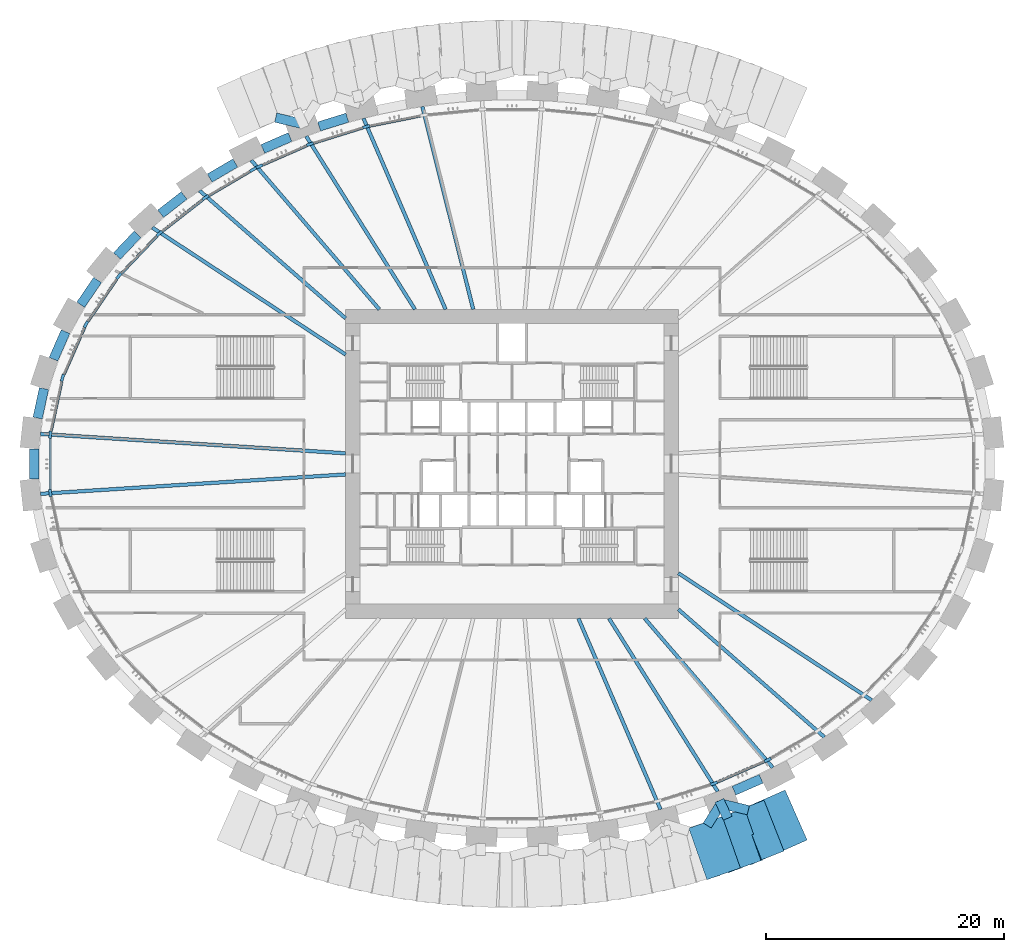
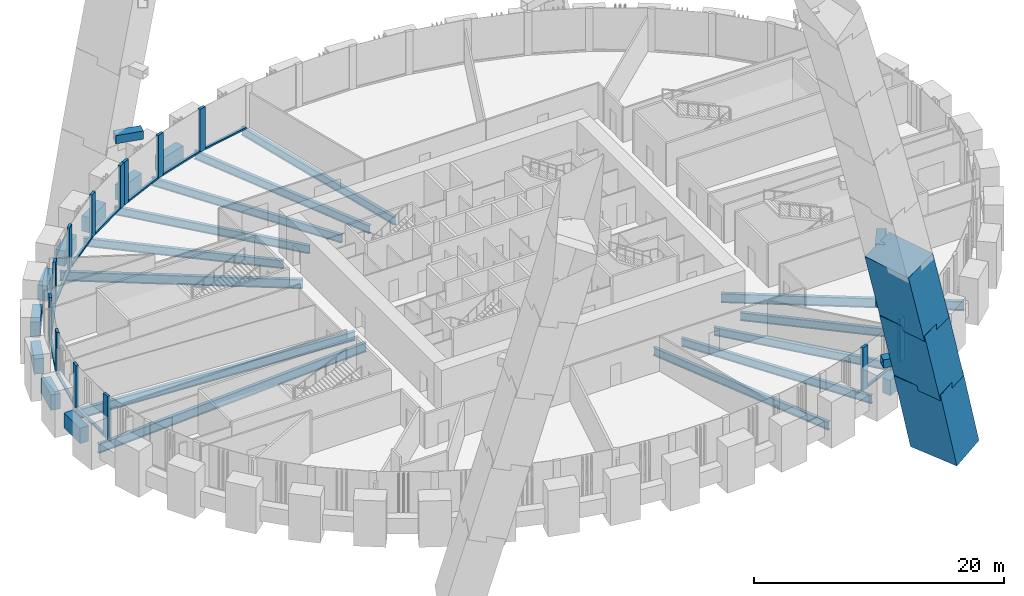
# One storey, part 3 of 23: 31 members, 23 beams, 3 elements without a shape of their own.
"""IFC4 building model written with IfcOpenShell, lengths in metres."""

import ifcopenshell
import ifcopenshell.guid

model = None  # the IFC model being written
_history = None  # IfcOwnerHistory: only IFC2X3 demands one
_inside = {}  # id of a spatial element -> (the spatial element, [elements in it])
_under = {}  # id of a project, library or spatial element -> (it, [spatial elements below it])
_declared = {}  # id of a project -> (the project, [libraries it declares])
_typed = {}  # id of a type object -> (the type object, [elements of that type])
_made_of = {}  # id of a material, layer set ... -> (it, [elements and type objects made of it])


def new_model(schema):
    """Start an empty IFC model of exactly this schema.

    Asked for "IFC4X3", IfcOpenShell would pick the latest addendum, in which some entities
    have other attributes; the version numbers below select the first issue.
    IFC2X3 requires an IfcOwnerHistory on every rooted entity: one is made here for all.
    """
    global model, _history
    if schema == "IFC4X3":
        model = ifcopenshell.file(schema_version=(4, 3, 0, 0))
    else:
        model = ifcopenshell.file(schema=schema)
    _inside.clear()
    _under.clear()
    _declared.clear()
    _typed.clear()
    _made_of.clear()
    _history = None
    if model.schema == "IFC2X3":
        org = make("IfcOrganization", Name="unknown")
        user = make(
            "IfcPersonAndOrganization",
            ThePerson=make("IfcPerson", FamilyName="unknown"),
            TheOrganization=org,
        )
        app = make(
            "IfcApplication",
            ApplicationDeveloper=org,
            Version="unknown",
            ApplicationFullName="unknown",
            ApplicationIdentifier="unknown",
        )
        _history = make(
            "IfcOwnerHistory",
            OwningUser=user,
            OwningApplication=app,
            ChangeAction="ADDED",
            CreationDate=0,
        )
    return model


def make(cls, **values):
    """One entity of the class cls with the attributes given. An attribute that is None is left unset."""
    return model.create_entity(
        cls, **{name: value for name, value in values.items() if value is not None}
    )


def rooted(cls, **values):
    """An entity with a GlobalId (a new one), such as an element, a storey or a relation."""
    return make(cls, GlobalId=ifcopenshell.guid.new(), OwnerHistory=_history, **values)


def si_unit(unit_type, name, prefix=None):
    """IfcSIUnit, for example si_unit("LENGTHUNIT", "METRE", prefix="MILLI")."""
    return make("IfcSIUnit", UnitType=unit_type, Prefix=prefix, Name=name)


def assignment(units):
    """IfcUnitAssignment: the units of a project."""
    return None if units is None else make("IfcUnitAssignment", Units=units)


def point(xyz):
    """IfcCartesianPoint."""
    return None if xyz is None else make("IfcCartesianPoint", Coordinates=xyz)


def direction(xyz):
    """IfcDirection."""
    return None if xyz is None else make("IfcDirection", DirectionRatios=xyz)


def frame(location, z_axis=None, x_axis=None):
    """IfcAxis2Placement3D, a coordinate frame: its origin and axes. An axis left out is left unset."""
    return make(
        "IfcAxis2Placement3D",
        Location=point(location),
        Axis=direction(z_axis),
        RefDirection=direction(x_axis),
    )


def frame_2d(location, x_axis=None):
    """IfcAxis2Placement2D, a coordinate frame in the plane: its origin and x axis."""
    return make(
        "IfcAxis2Placement2D", Location=point(location), RefDirection=direction(x_axis)
    )


def origin():
    """The frame at (0, 0, 0) with its axes left unset."""
    return frame((0.0, 0.0, 0.0))


def origin_2d():
    """The frame at (0, 0) in the plane with its x axis left unset."""
    return frame_2d((0.0, 0.0))


def place(relative_to, where):
    """IfcLocalPlacement: puts the frame where relative to a parent placement (None: the world)."""
    return make(
        "IfcLocalPlacement", PlacementRelTo=relative_to, RelativePlacement=where
    )


def context(
    kind, dimensions, precision=None, world=None, true_north=None, identifier=None
):
    """IfcGeometricRepresentationContext, for example the 3D "Model" context."""
    return make(
        "IfcGeometricRepresentationContext",
        ContextIdentifier=identifier,
        ContextType=kind,
        CoordinateSpaceDimension=dimensions,
        Precision=precision,
        WorldCoordinateSystem=world,
        TrueNorth=true_north,
    )


def subcontext(parent, identifier, kind, view, scale=None):
    """IfcGeometricRepresentationSubContext, for example "Body" below "Model"."""
    return make(
        "IfcGeometricRepresentationSubContext",
        ContextIdentifier=identifier,
        ContextType=kind,
        ParentContext=parent,
        TargetScale=scale,
        TargetView=view,
    )


def project(units=None, contexts=None):
    """IfcProject with its units and contexts."""
    return rooted(
        "IfcProject",
        Name="project",
        RepresentationContexts=contexts,
        UnitsInContext=assignment(units),
    )


def spatial(cls, under=None, at=None, **own):
    """A site, building, storey or space (cls), placed at a placement, below another one or the project."""
    s = rooted(cls, ObjectPlacement=at, **own)
    if under is not None:
        _under.setdefault(under.id(), (under, []))[1].append(s)
    return s


def profile(cls, at=None, kind="AREA", **sizes):
    """A parametric profile (cls). Its sizes go by their IFC names, for example OverallWidth=200.0."""
    return make(cls, ProfileType=kind, Position=at, **sizes)


def rectangle(**sizes):
    """IfcRectangleProfileDef."""
    return profile("IfcRectangleProfileDef", **sizes)


def hollow_rectangle(**sizes):
    """IfcRectangleHollowProfileDef."""
    return profile("IfcRectangleHollowProfileDef", **sizes)


def i_section(**sizes):
    """IfcIShapeProfileDef."""
    return profile("IfcIShapeProfileDef", **sizes)


def extrude(swept, where, along, depth):
    """IfcExtrudedAreaSolid: the profile swept, set in the frame where, extruded along a direction by depth."""
    return make(
        "IfcExtrudedAreaSolid",
        SweptArea=swept,
        Position=where,
        ExtrudedDirection=direction(along),
        Depth=depth,
    )


def shape(context_of_items, identifier, shape_type, items):
    """IfcShapeRepresentation: the items that make up one representation, for example the "Body"."""
    return make(
        "IfcShapeRepresentation",
        ContextOfItems=context_of_items,
        RepresentationIdentifier=identifier,
        RepresentationType=shape_type,
        Items=items,
    )


def source(mapping_origin, context_of_items, identifier, shape_type, items):
    """IfcRepresentationMap: a shape defined once, which mapped items show again and again."""
    return make(
        "IfcRepresentationMap",
        MappingOrigin=mapping_origin,
        MappedRepresentation=shape(context_of_items, identifier, shape_type, items),
    )


def transform(
    local_origin,
    x_axis=None,
    y_axis=None,
    z_axis=None,
    scale=None,
    scale2=None,
    scale3=None,
    uniform=True,
):
    """IfcCartesianTransformationOperator3D, or its non-uniform kind. x_axis, y_axis, z_axis: its Axis1, 2, 3."""
    if uniform:
        return make(
            "IfcCartesianTransformationOperator3D",
            Axis1=direction(x_axis),
            Axis2=direction(y_axis),
            LocalOrigin=point(local_origin),
            Scale=scale,
            Axis3=direction(z_axis),
        )
    return make(
        "IfcCartesianTransformationOperator3DnonUniform",
        Axis1=direction(x_axis),
        Axis2=direction(y_axis),
        LocalOrigin=point(local_origin),
        Scale=scale,
        Axis3=direction(z_axis),
        Scale2=scale2,
        Scale3=scale3,
    )


def mapped(mapping_source, mapping_target):
    """IfcMappedItem: shows the shape of a source again, moved by a transform."""
    return make(
        "IfcMappedItem", MappingSource=mapping_source, MappingTarget=mapping_target
    )


def material(Name=None, Category=None):
    """IfcMaterial."""
    return make("IfcMaterial", Name=Name, Category=Category)


def material_profile(
    of_material, cross_section, Name=None, Category=None, Priority=None
):
    """IfcMaterialProfile: a cross section and its material."""
    return make(
        "IfcMaterialProfile",
        Name=Name,
        Material=of_material,
        Profile=cross_section,
        Priority=Priority,
        Category=Category,
    )


def profile_set(profiles, Name=None, composite=None):
    """IfcMaterialProfileSet."""
    return make(
        "IfcMaterialProfileSet",
        Name=Name,
        MaterialProfiles=profiles,
        CompositeProfile=composite,
    )


def made_of(thing, what):
    """Note that an element or type object is made of a material, layer set ...; save() writes the relation."""
    if what is not None:
        _made_of.setdefault(what.id(), (what, []))[1].append(thing)
    return thing


def type_object(cls, material=None, **own):
    """A type object (cls), such as IfcWallType, which elements share."""
    return made_of(rooted(cls, **own), material)


def element(
    cls,
    number,
    at=None,
    inside=None,
    cuts=None,
    type_object=None,
    material=None,
    context=None,
    identifier="Body",
    shape_type=None,
    held_by="IfcProductDefinitionShape",
    body=None,
    shapes=None,
    **own,
):
    """One element of the class cls, such as IfcWall. Its Tag is "e" and its number.

    at: its placement. inside: the storey or other place that contains it. cuts: it is an
    opening in that element (IfcRelVoidsElement). A single representation is given by context,
    identifier, shape_type and body (its items); several are given by shapes. held_by: the class
    of the entity that holds the representations. save() writes the other relations.
    """
    e = rooted(cls, Tag="e%d" % number, ObjectPlacement=at, **own)
    if body is not None:
        shapes = [shape(context, identifier, shape_type, body)]
    if shapes is not None:
        e.Representation = make(held_by, Representations=shapes)
    if inside is not None:
        _inside.setdefault(inside.id(), (inside, []))[1].append(e)
    if cuts is not None:
        rooted(
            "IfcRelVoidsElement", RelatingBuildingElement=cuts, RelatedOpeningElement=e
        )
    if type_object is not None:
        _typed.setdefault(type_object.id(), (type_object, []))[1].append(e)
    return made_of(e, material)


def aggregate(whole, parts):
    """IfcRelAggregates: a whole, such as a stair, and the parts it consists of."""
    return rooted("IfcRelAggregates", RelatingObject=whole, RelatedObjects=parts)


def save(model, path):
    """Write the relations noted so far, then the file.

    IfcRelAggregates (storeys below a building ...), IfcRelContainedInSpatialStructure (elements
    in a storey), IfcRelDefinesByType, IfcRelAssociatesMaterial and IfcRelDeclares: one each for
    every whole, place, type object, material and project.
    """
    for whole, parts in _under.values():
        aggregate(whole, parts)
    for where, things in _inside.values():
        rooted(
            "IfcRelContainedInSpatialStructure",
            RelatedElements=things,
            RelatingStructure=where,
        )
    for kind, things in _typed.values():
        rooted("IfcRelDefinesByType", RelatedObjects=things, RelatingType=kind)
    for what, things in _made_of.values():
        rooted("IfcRelAssociatesMaterial", RelatedObjects=things, RelatingMaterial=what)
    for by, libraries in _declared.values():
        rooted("IfcRelDeclares", RelatingContext=by, RelatedDefinitions=libraries)
    model.write(path)


model = new_model("IFC4")

# Units and contexts
model_context = context("Model", 3, precision=1e-05, world=origin(), true_north=direction((0.0, 1.0)))
body_context = subcontext(model_context, "Body", "Model", "MODEL_VIEW")
ifc_project = project(units=[si_unit("LENGTHUNIT", "METRE"), si_unit("AREAUNIT", "SQUARE_METRE"), si_unit("VOLUMEUNIT", "CUBIC_METRE"), si_unit("PLANEANGLEUNIT", "RADIAN"), si_unit("MASSUNIT", "GRAM", prefix="KILO")], contexts=[model_context])

# Site, building, storey
site_placement = place(None, origin())
site = spatial("IfcSite", under=ifc_project, at=site_placement, CompositionType="ELEMENT")
building_placement = place(site_placement, origin())
building = spatial("IfcBuilding", under=site, at=building_placement, Name="Embergate Tower", CompositionType="ELEMENT")
storey_placement = place(building_placement, frame((0.0, 0.0, 29.0)))
storey = spatial("IfcBuildingStorey", under=building, at=storey_placement, Name="L03", CompositionType="ELEMENT", Elevation=29.0)

# Beams
ifc_material_1 = material(Name="Concrete C70", Category="concrete")
ifc_material_profile_1 = material_profile(ifc_material_1, rectangle(XDim=0.800048828125, YDim=1.5, at=origin_2d()), Name="RC 800x1500")
ifc_profile_set_1 = profile_set([ifc_material_profile_1], Name="Concrete C70")
beam_type_1 = type_object("IfcBeamType", Name="Spandrel beam RC 800x1500 C70", PredefinedType="BEAM", material=ifc_profile_set_1)
shared_shape_1 = source(origin(), body_context, "Body", "SweptSolid", [
    extrude(rectangle(XDim=0.800048828125, YDim=1.5, at=origin_2d()), origin(), (0.0, 0.0, 1.0), 2.53369140625),
])
beam_1_placement = place(storey_placement, frame((-39.3720703125, 6.330078125, 0.0), z_axis=(-0.210344985956, -0.977627222863, 0.0), x_axis=(0.977627222863, -0.210344985956, 0.0)))
element("IfcBeam", 1, at=beam_1_placement, inside=storey, type_object=beam_type_1, Name="SPN-L03-20", PredefinedType="BEAM", context=body_context, shape_type="MappedRepresentation", body=[
    mapped(shared_shape_1, transform((0.0, 0.0, 0.0))),
])
shared_shape_2 = source(origin(), body_context, "Body", "SweptSolid", [
    extrude(rectangle(XDim=0.800048828125, YDim=1.5, at=origin_2d()), origin(), (0.0, 0.0, 1.0), 2.530029296875),
])
beam_2_placement = place(storey_placement, frame((-37.556884765625, 11.12109375, 0.0), z_axis=(-0.401603284719, -0.91581373745, 0.0), x_axis=(0.91581373745, -0.401603284719, 0.0)))
element("IfcBeam", 2, at=beam_2_placement, inside=storey, type_object=beam_type_1, Name="SPN-L03-19", PredefinedType="BEAM", context=body_context, shape_type="MappedRepresentation", body=[
    mapped(shared_shape_2, transform((0.0, 0.0, 0.0))),
])
shared_shape_3 = source(origin(), body_context, "Body", "SweptSolid", [
    extrude(rectangle(XDim=0.800048828125, YDim=1.5, at=origin_2d()), origin(), (0.0, 0.0, 1.0), 2.52001953125),
])
beam_3_placement = place(storey_placement, frame((-34.864013671875, 15.469970703125, 0.0), z_axis=(-0.562278223056, -0.826948124054, 0.0), x_axis=(0.826948124054, -0.562278223056, 0.0)))
element("IfcBeam", 3, at=beam_3_placement, inside=storey, type_object=beam_type_1, Name="SPN-L03-18", PredefinedType="BEAM", context=body_context, shape_type="MappedRepresentation", body=[
    mapped(shared_shape_3, transform((0.0, 0.0, 0.0))),
])
shared_shape_4 = source(origin(), body_context, "Body", "SweptSolid", [
    extrude(rectangle(XDim=0.800048828125, YDim=1.5, at=origin_2d()), origin(), (0.0, 0.0, 1.0), 2.513671875),
])
beam_4_placement = place(storey_placement, frame((-31.49609375, 19.31201171875, 0.0), z_axis=(-0.690154595943, -0.723661960931, 0.0), x_axis=(0.723661960931, -0.690154595943, 0.0)))
element("IfcBeam", 4, at=beam_4_placement, inside=storey, type_object=beam_type_1, Name="SPN-L03-17", PredefinedType="BEAM", context=body_context, shape_type="MappedRepresentation", body=[
    mapped(shared_shape_4, transform((0.0, 0.0, 0.0))),
])
shared_shape_5 = source(origin(), body_context, "Body", "SweptSolid", [
    extrude(rectangle(XDim=0.800048828125, YDim=1.5, at=origin_2d()), origin(), (0.0, 0.0, 1.0), 2.5048828125),
])
beam_5_placement = place(storey_placement, frame((-27.580078125, 22.5830078125, 0.0), z_axis=(-0.788380346305, -0.61518812534, 0.0), x_axis=(0.61518812534, -0.788380346305, 0.0)))
element("IfcBeam", 5, at=beam_5_placement, inside=storey, type_object=beam_type_1, Name="SPN-L03-16", PredefinedType="BEAM", context=body_context, shape_type="MappedRepresentation", body=[
    mapped(shared_shape_5, transform((0.0, 0.0, 0.0))),
])
shared_shape_6 = source(origin(), body_context, "Body", "SweptSolid", [
    extrude(rectangle(XDim=0.800048828125, YDim=1.5, at=origin_2d()), origin(), (0.0, 0.0, 1.0), 2.5),
])
beam_6_placement = place(storey_placement, frame((-23.27490234375, 25.31201171875, 0.0), z_axis=(-0.862034618657, -0.506849401929, 0.0), x_axis=(0.506849401929, -0.862034618657, 0.0)))
element("IfcBeam", 6, at=beam_6_placement, inside=storey, type_object=beam_type_1, Name="SPN-L03-15", PredefinedType="BEAM", context=body_context, shape_type="MappedRepresentation", body=[
    mapped(shared_shape_6, transform((0.0, 0.0, 0.0))),
])
shared_shape_7 = source(origin(), body_context, "Body", "SweptSolid", [
    extrude(rectangle(XDim=0.800048828125, YDim=1.5, at=origin_2d()), origin(), (0.0, 0.0, 1.0), 2.496337890625),
])
for number, where, z_axis, x_axis, name in (
    (7, (-18.672119140625, 27.493896484375, 0.0), (-0.916087739171, -0.400977872382, 0.0), (0.400977872382, -0.916087739171, 0.0), "SPN-L03-14"),
    (8, (18.672119140625, -27.493896484375, 0.0), (0.916087739171, 0.400977872382, 0.0), (-0.400977872382, 0.916087739171, 0.0), "SPN-L03-36"),
):
    element("IfcBeam", number, at=place(storey_placement, frame(where, z_axis=z_axis, x_axis=x_axis)), inside=storey, type_object=beam_type_1, Name=name, PredefinedType="BEAM", context=body_context, shape_type="MappedRepresentation", body=[
        mapped(shared_shape_7, transform((0.0, 0.0, 0.0))),
    ])
shared_shape_8 = source(origin(), body_context, "Body", "SweptSolid", [
    extrude(rectangle(XDim=0.800048828125, YDim=1.5, at=origin_2d()), origin(), (0.0, 0.0, 1.0), 2.49169921875),
])
beam_7_placement = place(storey_placement, frame((-13.85009765625, 29.125, 0.0), z_axis=(-0.954758519321, -0.297382194801, 0.0), x_axis=(0.297382194801, -0.954758519321, 0.0)))
element("IfcBeam", 9, at=beam_7_placement, inside=storey, type_object=beam_type_1, Name="SPN-L03-13", PredefinedType="BEAM", context=body_context, shape_type="MappedRepresentation", body=[
    mapped(shared_shape_8, transform((0.0, 0.0, 0.0))),
])
shared_shape_9 = source(origin(), body_context, "Body", "SweptSolid", [
    extrude(rectangle(XDim=0.800048828125, YDim=1.5, at=origin_2d()), origin(), (0.0, 0.0, 1.0), 2.5400390625),
])
beam_8_placement = place(storey_placement, frame((-40.200927734375, 1.27001953125, 0.0), z_axis=(0.0, -1.0, 0.0), x_axis=(1.0, 0.0, 0.0)))
element("IfcBeam", 10, at=beam_8_placement, inside=storey, type_object=beam_type_1, Name="SPN-L03-21", PredefinedType="BEAM", context=body_context, shape_type="MappedRepresentation", body=[
    mapped(shared_shape_9, transform((0.0, 0.0, 0.0))),
])
ifc_material_2 = material(Name="Steel Q355B", Category="steel")
ifc_material_profile_2 = material_profile(ifc_material_2, i_section(OverallWidth=0.300048828125, OverallDepth=0.89990234375, WebThickness=0.01611328125, FlangeThickness=0.028076171875, FilletRadius=0.028076171875, at=origin_2d()), Name="HN 900x300x16x28")
ifc_profile_set_2 = profile_set([ifc_material_profile_2], Name="Steel Q355 grade B")
beam_type_2 = type_object("IfcBeamType", Name="Radial girder HN 900x300x16x28", PredefinedType="BEAM", material=ifc_profile_set_2)
shared_shape_10 = source(origin(), body_context, "Body", "SweptSolid", [
    extrude(i_section(OverallWidth=0.300048828125, OverallDepth=0.89990234375, WebThickness=0.01611328125, FlangeThickness=0.028076171875, FilletRadius=0.028076171875, at=origin_2d()), origin(), (0.0, 0.0, 1.0), 25.712646484375),
])
for number, where, z_axis, x_axis, name in (
    (11, (-39.660888671875, 2.52001953125, -0.75), (0.997985923003, -0.063435774512, 0.0), (0.063435774512, 0.997985923003, 0.0), "GIR-L03-21"),
    (12, (-39.660888671875, -2.52001953125, -0.75), (0.997985923003, 0.063435774512, 0.0), (-0.063435774512, 0.997985923003, 0.0), "GIR-L03-22"),
):
    element("IfcBeam", number, at=place(storey_placement, frame(where, z_axis=z_axis, x_axis=x_axis)), inside=storey, type_object=beam_type_2, Name=name, PredefinedType="BEAM", context=body_context, shape_type="MappedRepresentation", body=[
        mapped(shared_shape_10, transform((0.0, 0.0, 0.0))),
    ])
shared_shape_11 = source(origin(), body_context, "Body", "SweptSolid", [
    extrude(i_section(OverallWidth=0.300048828125, OverallDepth=0.89990234375, WebThickness=0.01611328125, FlangeThickness=0.028076171875, FilletRadius=0.028076171875, at=origin_2d()), origin(), (0.0, 0.0, 1.0), 19.456787109375),
])
for number, where, z_axis, x_axis, name in (
    (13, (-30.260986328125, 19.883056640625, -0.75), (0.835745789204, -0.549116541208, 0.0), (0.549116541208, 0.835745789204, 0.0), "GIR-L03-17"),
    (14, (30.260986328125, -19.883056640625, -0.75), (-0.835745789204, 0.549116541208, 0.0), (-0.549116541208, -0.835745789204, 0.0), "GIR-L03-39"),
):
    element("IfcBeam", number, at=place(storey_placement, frame(where, z_axis=z_axis, x_axis=x_axis)), inside=storey, type_object=beam_type_2, Name=name, PredefinedType="BEAM", context=body_context, shape_type="MappedRepresentation", body=[
        mapped(shared_shape_11, transform((0.0, 0.0, 0.0))),
    ])
ifc_material_profile_3 = material_profile(ifc_material_2, i_section(OverallWidth=0.300048828125, OverallDepth=0.800048828125, WebThickness=0.013916015625, FlangeThickness=0.02587890625, FilletRadius=0.028076171875, at=origin_2d()), Name="HN 800x300x14x26")
ifc_profile_set_3 = profile_set([ifc_material_profile_3], Name="Steel Q355 grade B")
beam_type_3 = type_object("IfcBeamType", Name="Radial girder HN 800x300x14x26", PredefinedType="BEAM", material=ifc_profile_set_3)
shared_shape_12 = source(origin(), body_context, "Body", "SweptSolid", [
    extrude(i_section(OverallWidth=0.300048828125, OverallDepth=0.800048828125, WebThickness=0.013916015625, FlangeThickness=0.02587890625, FilletRadius=0.028076171875, at=origin_2d()), origin(), (0.0, 0.0, 1.0), 16.318359375),
])
for number, where, z_axis, x_axis, name in (
    (15, (-26.283935546875, 22.986083984375, -0.699951171875), (0.752766655838, -0.658287446226, 0.0), (0.658287446226, 0.752766655838, 0.0), "GIR-L03-16"),
    (16, (26.283935546875, -22.986083984375, -0.699951171875), (-0.752766655838, 0.658287446226, 0.0), (-0.658287446226, -0.752766655838, 0.0), "GIR-L03-38"),
):
    element("IfcBeam", number, at=place(storey_placement, frame(where, z_axis=z_axis, x_axis=x_axis)), inside=storey, type_object=beam_type_3, Name=name, PredefinedType="BEAM", context=body_context, shape_type="MappedRepresentation", body=[
        mapped(shared_shape_12, transform((0.0, 0.0, 0.0))),
    ])
shared_shape_13 = source(origin(), body_context, "Body", "SweptSolid", [
    extrude(i_section(OverallWidth=0.300048828125, OverallDepth=0.800048828125, WebThickness=0.013916015625, FlangeThickness=0.02587890625, FilletRadius=0.028076171875, at=origin_2d()), origin(), (0.0, 0.0, 1.0), 16.532958984375),
])
for number, where, z_axis, x_axis, name in (
    (17, (-21.93505859375, 25.54296875, -0.699951171875), (0.651484275962, -0.758662137038, 0.0), (0.758662137038, 0.651484275962, 0.0), "GIR-L03-15"),
    (18, (21.93505859375, -25.54296875, -0.699951171875), (-0.651484275962, 0.758662137038, 0.0), (-0.758662137038, -0.651484275962, 0.0), "GIR-L03-37"),
):
    element("IfcBeam", number, at=place(storey_placement, frame(where, z_axis=z_axis, x_axis=x_axis)), inside=storey, type_object=beam_type_3, Name=name, PredefinedType="BEAM", context=body_context, shape_type="MappedRepresentation", body=[
        mapped(shared_shape_13, transform((0.0, 0.0, 0.0))),
    ])
shared_shape_14 = source(origin(), body_context, "Body", "SweptSolid", [
    extrude(i_section(OverallWidth=0.300048828125, OverallDepth=0.800048828125, WebThickness=0.013916015625, FlangeThickness=0.02587890625, FilletRadius=0.028076171875, at=origin_2d()), origin(), (0.0, 0.0, 1.0), 17.198974609375),
])
for number, where, z_axis, x_axis, name in (
    (19, (-17.31103515625, 27.56494140625, -0.699951171875), (0.53183253191, -0.846849548622, 0.0), (0.846849548622, 0.53183253191, 0.0), "GIR-L03-14"),
    (20, (17.31103515625, -27.56494140625, -0.699951171875), (-0.53183253191, 0.846849548622, 0.0), (-0.846849548622, -0.53183253191, 0.0), "GIR-L03-36"),
):
    element("IfcBeam", number, at=place(storey_placement, frame(where, z_axis=z_axis, x_axis=x_axis)), inside=storey, type_object=beam_type_3, Name=name, PredefinedType="BEAM", context=body_context, shape_type="MappedRepresentation", body=[
        mapped(shared_shape_14, transform((0.0, 0.0, 0.0))),
    ])
shared_shape_15 = source(origin(), body_context, "Body", "SweptSolid", [
    extrude(i_section(OverallWidth=0.300048828125, OverallDepth=0.800048828125, WebThickness=0.013916015625, FlangeThickness=0.02587890625, FilletRadius=0.028076171875, at=origin_2d()), origin(), (0.0, 0.0, 1.0), 17.4873046875),
])
for number, where, z_axis, x_axis, name in (
    (21, (-12.493896484375, 29.06591796875, -0.699951171875), (0.39491487199, -0.918717717191, 0.0), (0.918717717191, 0.39491487199, 0.0), "GIR-L03-13"),
    (22, (12.493896484375, -29.06591796875, -0.699951171875), (-0.39491487199, 0.918717717191, 0.0), (-0.918717717191, -0.39491487199, 0.0), "GIR-L03-35"),
):
    element("IfcBeam", number, at=place(storey_placement, frame(where, z_axis=z_axis, x_axis=x_axis)), inside=storey, type_object=beam_type_3, Name=name, PredefinedType="BEAM", context=body_context, shape_type="MappedRepresentation", body=[
        mapped(shared_shape_15, transform((0.0, 0.0, 0.0))),
    ])
shared_shape_16 = source(origin(), body_context, "Body", "SweptSolid", [
    extrude(i_section(OverallWidth=0.300048828125, OverallDepth=0.800048828125, WebThickness=0.013916015625, FlangeThickness=0.02587890625, FilletRadius=0.028076171875, at=origin_2d()), origin(), (0.0, 0.0, 1.0), 17.58740234375),
])
beam_9_placement = place(storey_placement, frame((-7.544921875, 30.05810546875, -0.699951171875), z_axis=(0.243469663702, -0.969908512622, 0.0), x_axis=(0.969908512622, 0.243469663702, 0.0)))
element("IfcBeam", 23, at=beam_9_placement, inside=storey, type_object=beam_type_3, Name="GIR-L03-12", PredefinedType="BEAM", context=body_context, shape_type="MappedRepresentation", body=[
    mapped(shared_shape_16, transform((0.0, 0.0, 0.0))),
])

# Members
ifc_material_profile_4 = material_profile(ifc_material_1, rectangle(XDim=4.60009765625, YDim=3.10009765625, at=origin_2d()), Name="RC 4600x3100")
ifc_profile_set_4 = profile_set([ifc_material_profile_4], Name="Concrete C70")
member_type_1 = type_object("IfcMemberType", Name="Arch ring masonry RC 4600x3100", PredefinedType="MEMBER", material=ifc_profile_set_4)
shared_shape_17 = source(origin(), body_context, "Body", "SweptSolid", [
    extrude(rectangle(XDim=4.60009765625, YDim=3.10009765625, at=origin_2d()), origin(), (0.0, 0.0, 1.0), 8.43896484375),
])
member_1_placement = place(storey_placement, frame((20.5048828125, -31.0400390625, 2.842041015625), z_axis=(0.240555014134, 0.106058290056, -0.964823778877), x_axis=(-0.403420744744, 0.915014591529, 0.0)))
element("IfcMember", 24, at=member_1_placement, inside=storey, type_object=member_type_1, Name="ARC-S-RG23", PredefinedType="MEMBER", context=body_context, shape_type="MappedRepresentation", body=[
    mapped(shared_shape_17, transform((0.0, 0.0, 0.0))),
])
shared_shape_18 = source(origin(), body_context, "Body", "SweptSolid", [
    extrude(rectangle(XDim=4.60009765625, YDim=3.10009765625, at=origin_2d()), origin(), (0.0, 0.0, 1.0), 7.664306640625),
])
member_2_placement = place(storey_placement, frame((18.77001953125, -31.718017578125, 9.656982421875), z_axis=(0.245405845847, 0.096423091301, -0.964613165102), x_axis=(-0.365697225871, 0.930733871195, 0.0)))
element("IfcMember", 25, at=member_2_placement, inside=storey, type_object=member_type_1, Name="ARC-S-RG22", PredefinedType="MEMBER", context=body_context, shape_type="MappedRepresentation", body=[
    mapped(shared_shape_18, transform((0.0, 0.0, 0.0))),
])
shared_shape_19 = source(origin(), body_context, "Body", "SweptSolid", [
    extrude(rectangle(XDim=4.60009765625, YDim=3.10009765625, at=origin_2d()), origin(), (0.0, 0.0, 1.0), 7.525390625),
])
member_3_placement = place(storey_placement, frame((17.0419921875, -32.322021484375, 16.3369140625), z_axis=(0.249412764304, 0.087560490486, -0.964430626592), x_axis=(-0.331246829479, 0.943544136731, 0.0)))
element("IfcMember", 26, at=member_3_placement, inside=storey, type_object=member_type_1, Name="ARC-S-RG21", PredefinedType="MEMBER", context=body_context, shape_type="MappedRepresentation", body=[
    mapped(shared_shape_19, transform((0.0, 0.0, 0.0))),
])
ifc_material_3 = material(Name="Steel Q355D", Category="steel")
ifc_material_profile_5 = material_profile(ifc_material_3, hollow_rectangle(XDim=0.800048828125, YDim=0.800048828125, WallThickness=0.0400390625, at=origin_2d()), Name="BOX 800x800x40")
ifc_profile_set_5 = profile_set([ifc_material_profile_5], Name="Steel Q355 grade D")
member_type_2 = type_object("IfcMemberType", Name="Arch ring tie BOX 800x800x40", PredefinedType="STRUT", material=ifc_profile_set_5)
shared_shape_20 = source(origin(), body_context, "Body", "SweptSolid", [
    extrude(hollow_rectangle(XDim=0.800048828125, YDim=0.800048828125, WallThickness=0.0400390625, at=origin_2d()), origin(), (0.0, 0.0, 1.0), 2.318359375),
])
for number, where, z_axis, x_axis, name in (
    (27, (-17.6240234375, 28.597900390625, 3.5), (-0.9729957038, 0.230823223239, 0.0), (-0.230823223239, -0.9729957038, 0.0), "ARC-N-AT23"),
    (28, (17.6240234375, -28.597900390625, 3.5), (0.9729957038, -0.230823223239, 0.0), (0.230823223239, 0.9729957038, 0.0), "ARC-S-AT23"),
):
    element("IfcMember", number, at=place(storey_placement, frame(where, z_axis=z_axis, x_axis=x_axis)), inside=storey, type_object=member_type_2, Name=name, PredefinedType="STRUT", context=body_context, shape_type="MappedRepresentation", body=[
        mapped(shared_shape_20, transform((0.0, 0.0, 0.0))),
    ])
shared_shape_21 = source(origin(), body_context, "Body", "SweptSolid", [
    extrude(hollow_rectangle(XDim=0.800048828125, YDim=0.800048828125, WallThickness=0.0400390625, at=origin_2d()), origin(), (0.0, 0.0, 1.0), 1.651123046875),
])
member_4_placement = place(storey_placement, frame((17.447998046875, -28.318115234375, 9.367919921875), z_axis=(0.423338722493, -0.905971481912, 0.0), x_axis=(0.905971481912, 0.423338722493, 0.0)))
element("IfcMember", 29, at=member_4_placement, inside=storey, type_object=member_type_2, Name="ARC-S-AT22", PredefinedType="STRUT", context=body_context, shape_type="MappedRepresentation", body=[
    mapped(shared_shape_21, transform((0.0, 0.0, 0.0))),
])
shared_shape_22 = source(origin(), body_context, "Body", "SweptSolid", [
    extrude(hollow_rectangle(XDim=0.800048828125, YDim=0.800048828125, WallThickness=0.0400390625, at=origin_2d()), origin(), (0.0, 0.0, 1.0), 2.205810546875),
])
member_5_placement = place(storey_placement, frame((17.597900390625, -28.555908203125, 16.048095703125), z_axis=(-0.534022139973, -0.845470492695, 0.0), x_axis=(0.845470492695, -0.534022139973, 0.0)))
element("IfcMember", 30, at=member_5_placement, inside=storey, type_object=member_type_2, Name="ARC-S-AT21", PredefinedType="STRUT", context=body_context, shape_type="MappedRepresentation", body=[
    mapped(shared_shape_22, transform((0.0, 0.0, 0.0))),
])

# Curtain wall, members
ifc_material_4 = material(Name="Aluminium and glass", Category="aluminium")
curtain_wall_type = type_object("IfcCurtainWallType", Name="Podium base glazing", PredefinedType="NOTDEFINED", material=ifc_material_4)
curtain_wall_1_placement = place(storey_placement, origin())
curtain_wall_1 = element("IfcCurtainWall", 31, at=curtain_wall_1_placement, inside=storey, type_object=curtain_wall_type, Name="Podium base glazing run 1", ObjectType="PODIUM BASE GLAZING", PredefinedType="USERDEFINED")
ifc_material_5 = material(Name="Aluminium, thermally broken", Category="aluminium")
ifc_material_profile_6 = material_profile(ifc_material_5, rectangle(XDim=0.239990234375, YDim=0.60009765625, at=origin_2d()), Name="AL 600x240")
ifc_profile_set_6 = profile_set([ifc_material_profile_6], Name="Aluminium, thermally broken")
member_type_3 = type_object("IfcMemberType", Name="Base mullion", PredefinedType="MULLION", material=ifc_profile_set_6)
shared_shape_23 = source(origin(), body_context, "Body", "SweptSolid", [
    extrude(rectangle(XDim=0.239990234375, YDim=0.60009765625, at=origin_2d()), origin(), (0.0, 0.0, 1.0), 4.199951171875),
])
member_6_placement = place(storey_placement, frame((-12.263427734375, 28.364013671875, 0.0), z_axis=(0.0, 0.0, 1.0), x_axis=(0.247316954703, -0.968934633459, 0.0)))
member_6 = element("IfcMember", 32, at=member_6_placement, type_object=member_type_3, Name="CW mullion 14", PredefinedType="MULLION", context=body_context, shape_type="MappedRepresentation", body=[
    mapped(shared_shape_23, transform((0.0, 0.0, 0.0))),
])
member_7_placement = place(storey_placement, frame((-16.98974609375, 26.89208984375, 0.0), z_axis=(0.0, 0.0, 1.0), x_axis=(0.349509223885, -0.936932923116, 0.0)))
member_7 = element("IfcMember", 33, at=member_7_placement, type_object=member_type_3, Name="CW mullion 15", PredefinedType="MULLION", context=body_context, shape_type="MappedRepresentation", body=[
    mapped(shared_shape_23, transform((0.0, 0.0, 0.0))),
])
member_8_placement = place(storey_placement, frame((-21.247314453125, 25.0302734375, 0.0), z_axis=(0.0, 0.0, 1.0), x_axis=(0.400648090553, -0.916232016214, 0.0)))
member_8 = element("IfcMember", 34, at=member_8_placement, type_object=member_type_3, Name="CW mullion 16", PredefinedType="MULLION", context=body_context, shape_type="MappedRepresentation", body=[
    mapped(shared_shape_23, transform((0.0, 0.0, 0.0))),
])

curtain_wall_2_placement = place(storey_placement, origin())
curtain_wall_2 = element("IfcCurtainWall", 35, at=curtain_wall_2_placement, inside=storey, type_object=curtain_wall_type, Name="Podium base glazing run 2", ObjectType="PODIUM BASE GLAZING", PredefinedType="USERDEFINED")
member_9_placement = place(storey_placement, frame((-21.78076171875, 24.758056640625, 0.0), z_axis=(0.0, 0.0, 1.0), x_axis=(0.506828384679, -0.862046975799, 0.0)))
member_9 = element("IfcMember", 36, at=member_9_placement, type_object=member_type_3, Name="CW mullion 1", PredefinedType="MULLION", context=body_context, shape_type="MappedRepresentation", body=[
    mapped(shared_shape_23, transform((0.0, 0.0, 0.0))),
])
member_10_placement = place(storey_placement, frame((-25.7822265625, 22.405517578125, 0.0), z_axis=(0.0, 0.0, 1.0), x_axis=(0.562226278725, -0.826983440893, 0.0)))
member_10 = element("IfcMember", 37, at=member_10_placement, type_object=member_type_3, Name="CW mullion 2", PredefinedType="MULLION", context=body_context, shape_type="MappedRepresentation", body=[
    mapped(shared_shape_23, transform((0.0, 0.0, 0.0))),
])
member_11_placement = place(storey_placement, frame((-29.6728515625, 19.368896484375, 0.0), z_axis=(0.0, 0.0, 1.0), x_axis=(0.671235590011, -0.741244077684, 0.0)))
member_11 = element("IfcMember", 38, at=member_11_placement, type_object=member_type_3, Name="CW mullion 3", PredefinedType="MULLION", context=body_context, shape_type="MappedRepresentation", body=[
    mapped(shared_shape_23, transform((0.0, 0.0, 0.0))),
])
member_12_placement = place(storey_placement, frame((-33.073486328125, 15.802978515625, 0.0), z_axis=(0.0, 0.0, 1.0), x_axis=(0.777880241921, -0.628412547002, 0.0)))
member_12 = element("IfcMember", 39, at=member_12_placement, type_object=member_type_3, Name="CW mullion 4", PredefinedType="MULLION", context=body_context, shape_type="MappedRepresentation", body=[
    mapped(shared_shape_23, transform((0.0, 0.0, 0.0))),
])
member_13_placement = place(storey_placement, frame((-35.839111328125, 11.736083984375, 0.0), z_axis=(0.0, 0.0, 1.0), x_axis=(0.875006965472, -0.484110328723, 0.0)))
member_13 = element("IfcMember", 40, at=member_13_placement, type_object=member_type_3, Name="CW mullion 5", PredefinedType="MULLION", context=body_context, shape_type="MappedRepresentation", body=[
    mapped(shared_shape_23, transform((0.0, 0.0, 0.0))),
])
member_14_placement = place(storey_placement, frame((-37.810546875, 7.24072265625, 0.0), z_axis=(0.0, 0.0, 1.0), x_axis=(0.95149994581, -0.307648912111, 0.0)))
member_14 = element("IfcMember", 41, at=member_14_placement, type_object=member_type_3, Name="CW mullion 6", PredefinedType="MULLION", context=body_context, shape_type="MappedRepresentation", body=[
    mapped(shared_shape_23, transform((0.0, 0.0, 0.0))),
])
member_15_placement = place(storey_placement, frame((-38.841796875, 2.44921875, 0.0), z_axis=(0.0, 0.0, 1.0), x_axis=(0.994385139431, -0.105821521816, 0.0)))
member_15 = element("IfcMember", 42, at=member_15_placement, type_object=member_type_3, Name="CW mullion 7", PredefinedType="MULLION", context=body_context, shape_type="MappedRepresentation", body=[
    mapped(shared_shape_23, transform((0.0, 0.0, 0.0))),
])
member_16_placement = place(storey_placement, frame((-38.841796875, -2.44921875, 0.0), z_axis=(0.0, 0.0, 1.0), x_axis=(0.994385139431, 0.105821521816, 0.0)))
member_16 = element("IfcMember", 43, at=member_16_placement, type_object=member_type_3, Name="CW mullion 8", PredefinedType="MULLION", context=body_context, shape_type="MappedRepresentation", body=[
    mapped(shared_shape_23, transform((0.0, 0.0, 0.0))),
])

curtain_wall_3_placement = place(storey_placement, origin())
curtain_wall_3 = element("IfcCurtainWall", 44, at=curtain_wall_3_placement, inside=storey, type_object=curtain_wall_type, Name="Podium base glazing run 3", ObjectType="PODIUM BASE GLAZING", PredefinedType="USERDEFINED")
member_17_placement = place(storey_placement, frame((16.98974609375, -26.89208984375, 0.0), z_axis=(0.0, 0.0, 1.0), x_axis=(-0.349509223885, 0.936932923116, 0.0)))
member_17 = element("IfcMember", 45, at=member_17_placement, type_object=member_type_3, Name="CW mullion 8", PredefinedType="MULLION", context=body_context, shape_type="MappedRepresentation", body=[
    mapped(shared_shape_23, transform((0.0, 0.0, 0.0))),
])
member_18_placement = place(storey_placement, frame((21.522216796875, -24.91015625, 0.0), z_axis=(0.0, 0.0, 1.0), x_axis=(-0.45451915369, 0.89073696394, 0.0)))
member_18 = element("IfcMember", 46, at=member_18_placement, type_object=member_type_3, Name="CW mullion 9", PredefinedType="MULLION", context=body_context, shape_type="MappedRepresentation", body=[
    mapped(shared_shape_23, transform((0.0, 0.0, 0.0))),
])

# Member
ifc_material_profile_7 = material_profile(ifc_material_5, rectangle(XDim=0.239990234375, YDim=0.159912109375, at=origin_2d()), Name="AL 160x240")
ifc_profile_set_7 = profile_set([ifc_material_profile_7], Name="Aluminium, thermally broken")
member_type_4 = type_object("IfcMemberType", Name="Base transom", PredefinedType="USERDEFINED", material=ifc_profile_set_7)
shared_shape_24 = source(origin(), body_context, "Body", "SweptSolid", [
    extrude(rectangle(XDim=0.239990234375, YDim=0.159912109375, at=origin_2d()), origin(), (0.0, 0.0, 1.0), 4.30859375),
])
member_19_placement = place(storey_placement, frame((-35.95947265625, 11.461181640625, 0.080078125), z_axis=(-0.401680670159, -0.915779798435, 0.0), x_axis=(0.915779798435, -0.401680670159, 0.0)))
member_19 = element("IfcMember", 47, at=member_19_placement, type_object=member_type_4, Name="CW transom 5.1", ObjectType="TRANSOM", PredefinedType="USERDEFINED", context=body_context, shape_type="MappedRepresentation", body=[
    mapped(shared_shape_24, transform((0.0, 0.0, 0.0))),
])

shared_shape_25 = source(origin(), body_context, "Body", "SweptSolid", [
    extrude(rectangle(XDim=0.239990234375, YDim=0.159912109375, at=origin_2d()), origin(), (0.0, 0.0, 1.0), 4.318115234375),
])
member_20_placement = place(storey_placement, frame((-33.2421875, 15.5546875, 0.080078125), z_axis=(-0.562348683392, -0.826900210598, 0.0), x_axis=(0.826900210598, -0.562348683392, 0.0)))
member_20 = element("IfcMember", 48, at=member_20_placement, type_object=member_type_4, Name="CW transom 4.1", ObjectType="TRANSOM", PredefinedType="USERDEFINED", context=body_context, shape_type="MappedRepresentation", body=[
    mapped(shared_shape_25, transform((0.0, 0.0, 0.0))),
])

shared_shape_26 = source(origin(), body_context, "Body", "SweptSolid", [
    extrude(rectangle(XDim=0.239990234375, YDim=0.159912109375, at=origin_2d()), origin(), (0.0, 0.0, 1.0), 4.327392578125),
])
member_21_placement = place(storey_placement, frame((-29.8798828125, 19.151611328125, 0.080078125), z_axis=(-0.690152300069, -0.723664150493, 0.0), x_axis=(0.723664150493, -0.690152300069, 0.0)))
member_21 = element("IfcMember", 49, at=member_21_placement, type_object=member_type_4, Name="CW transom 3.1", ObjectType="TRANSOM", PredefinedType="USERDEFINED", context=body_context, shape_type="MappedRepresentation", body=[
    mapped(shared_shape_26, transform((0.0, 0.0, 0.0))),
])

shared_shape_27 = source(origin(), body_context, "Body", "SweptSolid", [
    extrude(rectangle(XDim=0.239990234375, YDim=0.159912109375, at=origin_2d()), origin(), (0.0, 0.0, 1.0), 4.335205078125),
])
member_22_placement = place(storey_placement, frame((-26.018798828125, 22.220947265625, 0.080078125), z_axis=(-0.788295797009, -0.615296462218, 0.0), x_axis=(0.615296462218, -0.788295797009, 0.0)))
member_22 = element("IfcMember", 50, at=member_22_placement, type_object=member_type_4, Name="CW transom 2.1", ObjectType="TRANSOM", PredefinedType="USERDEFINED", context=body_context, shape_type="MappedRepresentation", body=[
    mapped(shared_shape_27, transform((0.0, 0.0, 0.0))),
])

shared_shape_28 = source(origin(), body_context, "Body", "SweptSolid", [
    extrude(rectangle(XDim=0.239990234375, YDim=0.159912109375, at=origin_2d()), origin(), (0.0, 0.0, 1.0), 4.3466796875),
])
member_23_placement = place(storey_placement, frame((17.2646484375, -26.771728515625, 0.080078125), z_axis=(0.916238526836, 0.400633201246, 0.0), x_axis=(-0.400633201246, 0.916238526836, 0.0)))
member_23 = element("IfcMember", 51, at=member_23_placement, type_object=member_type_4, Name="CW transom 8.1", ObjectType="TRANSOM", PredefinedType="USERDEFINED", context=body_context, shape_type="MappedRepresentation", body=[
    mapped(shared_shape_28, transform((0.0, 0.0, 0.0))),
])

aggregate(curtain_wall_3, [member_17, member_18, member_23])

shared_shape_29 = source(origin(), body_context, "Body", "SweptSolid", [
    extrude(rectangle(XDim=0.239990234375, YDim=0.159912109375, at=origin_2d()), origin(), (0.0, 0.0, 1.0), 4.350341796875),
])
member_24_placement = place(storey_placement, frame((-12.5498046875, 28.27490234375, 0.080078125), z_axis=(-0.954760152923, -0.297376949999, 0.0), x_axis=(0.297376949999, -0.954760152923, 0.0)))
member_24 = element("IfcMember", 52, at=member_24_placement, type_object=member_type_4, Name="CW transom 14.1", ObjectType="TRANSOM", PredefinedType="USERDEFINED", context=body_context, shape_type="MappedRepresentation", body=[
    mapped(shared_shape_29, transform((0.0, 0.0, 0.0))),
])

shared_shape_30 = source(origin(), body_context, "Body", "SweptSolid", [
    extrude(rectangle(XDim=0.239990234375, YDim=0.159912109375, at=origin_2d()), origin(), (0.0, 0.0, 1.0), 4.3525390625),
])
member_25_placement = place(storey_placement, frame((-7.70166015625, 29.27880859375, 0.080078125), z_axis=(-0.980483473703, -0.196601520328, 0.0), x_axis=(0.196601520328, -0.980483473703, 0.0)))
member_25 = element("IfcMember", 53, at=member_25_placement, type_object=member_type_4, Name="CW transom 13.1", ObjectType="TRANSOM", PredefinedType="USERDEFINED", context=body_context, shape_type="MappedRepresentation", body=[
    mapped(shared_shape_30, transform((0.0, 0.0, 0.0))),
])

shared_shape_31 = source(origin(), body_context, "Body", "SweptSolid", [
    extrude(rectangle(XDim=0.239990234375, YDim=0.159912109375, at=origin_2d()), origin(), (0.0, 0.0, 1.0), 4.046875),
])
member_26_placement = place(storey_placement, frame((-17.2646484375, 26.771728515625, 0.080078125), z_axis=(-0.916230704483, -0.400651090306, 0.0), x_axis=(0.400651090306, -0.916230704483, 0.0)))
member_26 = element("IfcMember", 54, at=member_26_placement, type_object=member_type_4, Name="CW transom 15.1", ObjectType="TRANSOM", PredefinedType="USERDEFINED", context=body_context, shape_type="MappedRepresentation", body=[
    mapped(shared_shape_31, transform((0.0, 0.0, 0.0))),
])

aggregate(curtain_wall_1, [member_6, member_7, member_8, member_25, member_24, member_26])

shared_shape_32 = source(origin(), body_context, "Body", "SweptSolid", [
    extrude(rectangle(XDim=0.239990234375, YDim=0.159912109375, at=origin_2d()), origin(), (0.0, 0.0, 1.0), 4.041748046875),
])
member_27_placement = place(storey_placement, frame((-22.039306640625, 24.60595703125, 0.080078125), z_axis=(-0.862073932663, -0.506782531884, 0.0), x_axis=(0.506782531884, -0.862073932663, 0.0)))
member_27 = element("IfcMember", 55, at=member_27_placement, type_object=member_type_4, Name="CW transom 1.1", ObjectType="TRANSOM", PredefinedType="USERDEFINED", context=body_context, shape_type="MappedRepresentation", body=[
    mapped(shared_shape_32, transform((0.0, 0.0, 0.0))),
])

shared_shape_33 = source(origin(), body_context, "Body", "SweptSolid", [
    extrude(rectangle(XDim=0.239990234375, YDim=0.159912109375, at=origin_2d()), origin(), (0.0, 0.0, 1.0), 4.30126953125),
])
member_28_placement = place(storey_placement, frame((-37.873779296875, 6.947509765625, 0.080078125), z_axis=(-0.210350781837, -0.977625975811, 0.0), x_axis=(0.977625975811, -0.210350781837, 0.0)))
member_28 = element("IfcMember", 56, at=member_28_placement, type_object=member_type_4, Name="CW transom 6.1", ObjectType="TRANSOM", PredefinedType="USERDEFINED", context=body_context, shape_type="MappedRepresentation", body=[
    mapped(shared_shape_33, transform((0.0, 0.0, 0.0))),
])

shared_shape_34 = source(origin(), body_context, "Body", "SweptSolid", [
    extrude(rectangle(XDim=0.239990234375, YDim=0.159912109375, at=origin_2d()), origin(), (0.0, 0.0, 1.0), 4.29833984375),
])
member_29_placement = place(storey_placement, frame((-38.841796875, 2.149169921875, 0.080078125), z_axis=(0.0, -1.0, 0.0), x_axis=(1.0, 0.0, 0.0)))
member_29 = element("IfcMember", 57, at=member_29_placement, type_object=member_type_4, Name="CW transom 7.1", ObjectType="TRANSOM", PredefinedType="USERDEFINED", context=body_context, shape_type="MappedRepresentation", body=[
    mapped(shared_shape_34, transform((0.0, 0.0, 0.0))),
])

aggregate(curtain_wall_2, [member_9, member_10, member_11, member_12, member_13, member_14, member_15, member_16, member_27, member_22, member_21, member_20, member_19, member_28, member_29])

save(model, "model.ifc")
